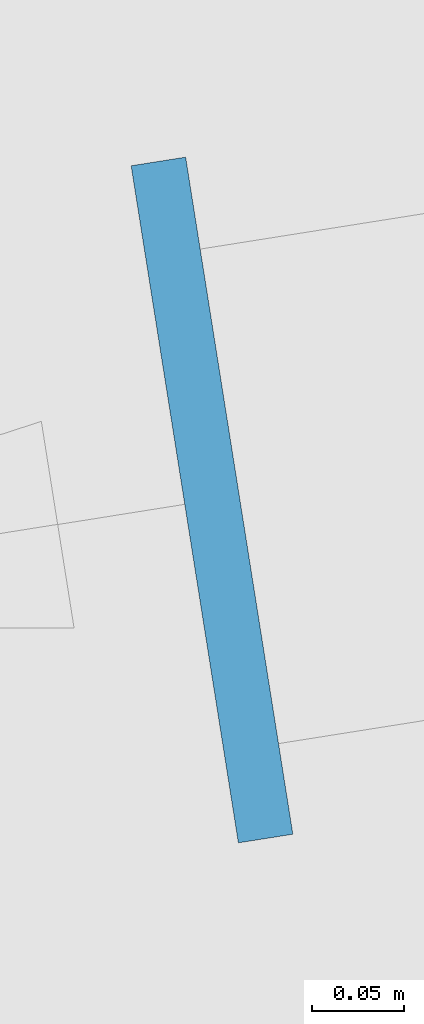
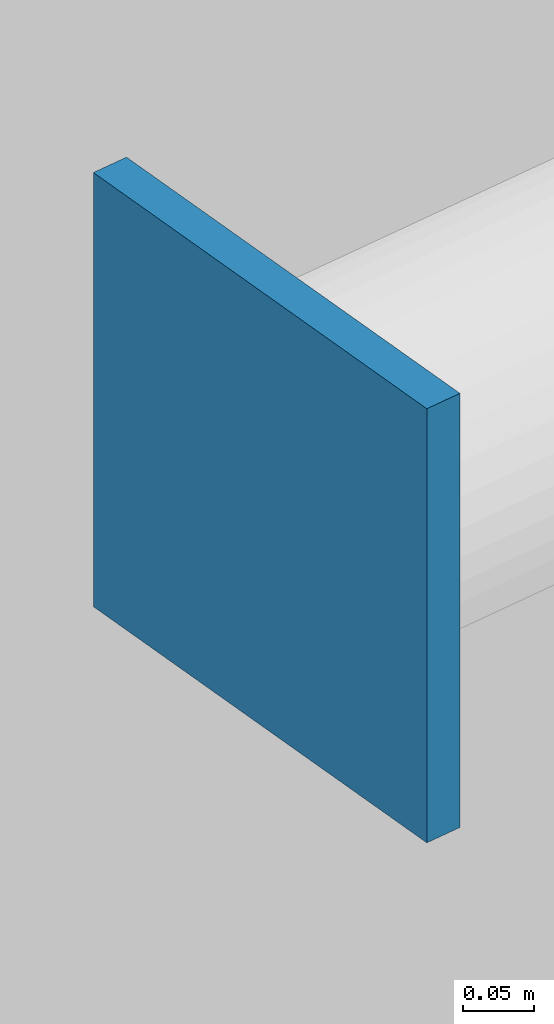
# One storey, part 13 of 23: 1 discrete accessory.
"""IFC4 building model written with IfcOpenShell, lengths in metres."""

from ifc_helpers import new_model, si_unit, direction, frame, origin, origin_2d, place, context, subcontext, project, spatial, rectangle, extrude, material, element, save


model = new_model("IFC4")

# Units and contexts
model_context = context("Model", 3, precision=1e-05, world=origin(), true_north=direction((0.0, 1.0)))
body_context = subcontext(model_context, "Body", "Model", "MODEL_VIEW")
ifc_project = project(units=[si_unit("LENGTHUNIT", "METRE"), si_unit("AREAUNIT", "SQUARE_METRE"), si_unit("VOLUMEUNIT", "CUBIC_METRE"), si_unit("PLANEANGLEUNIT", "RADIAN"), si_unit("MASSUNIT", "GRAM", prefix="KILO")], contexts=[model_context])

# Site, building, storey
site_placement = place(None, origin())
site = spatial("IfcSite", under=ifc_project, at=site_placement, CompositionType="ELEMENT")
building_placement = place(site_placement, origin())
building = spatial("IfcBuilding", under=site, at=building_placement, Name="Entoto Ring Tower", CompositionType="ELEMENT")
storey_placement = place(building_placement, frame((0.0, 0.0, 392.0)))
storey = spatial("IfcBuildingStorey", under=building, at=storey_placement, Name="L91", CompositionType="ELEMENT", Elevation=392.0)

# Discrete accessory
ifc_material = material(Name="Steel S355", Category="steel")
discrete_accessory_placement = place(storey_placement, frame((57.78662109375, 74.89794921875, 9.52685546875), z_axis=(0.0, 0.0, 1.0), x_axis=(-0.987688340595, -0.15643446504, 0.0)))
element("IfcDiscreteAccessory", 1, at=discrete_accessory_placement, inside=storey, material=ifc_material, Name="Node strut end plate DS2 ring 29 10", PredefinedType="BRACKET", context=body_context, shape_type="SweptSolid", body=[
    extrude(rectangle(XDim=0.030029296875, YDim=0.373046875, at=origin_2d()), origin(), (0.0, 0.0, 1.0), 0.373046875),
])

save(model, "model.ifc")
